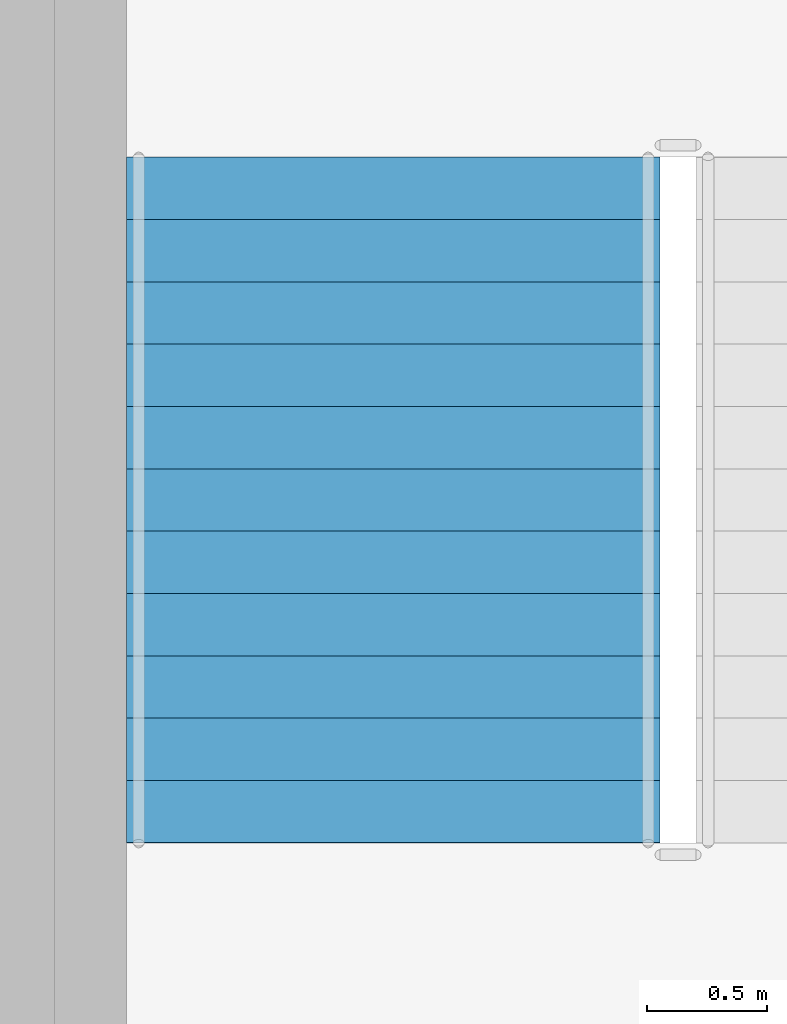
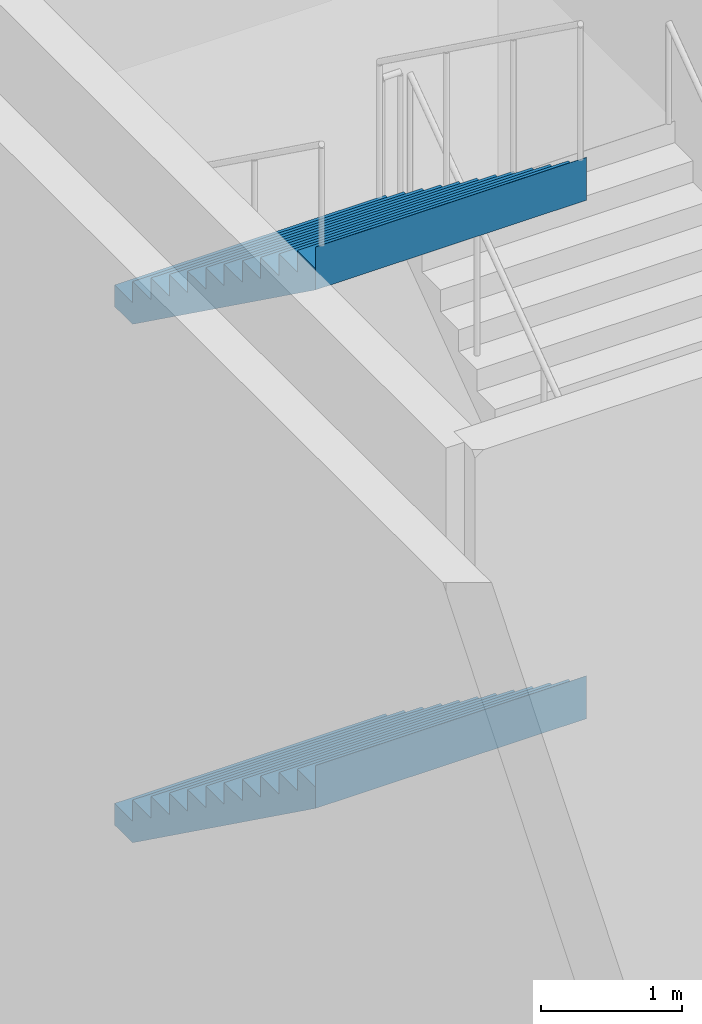
# One storey, part 23 of 35: 2 stair flights, 1 element without a shape of its own.
"""IFC4 building model written with IfcOpenShell, lengths in metres."""

from ifc_helpers import new_model, si_unit, direction, frame, origin, place, context, subcontext, project, spatial, triangles, material, type_object, element, aggregate, save


model = new_model("IFC4")

# Units and contexts
model_context = context("Model", 3, precision=1e-05, world=origin(), true_north=direction((0.0, 1.0)))
body_context = subcontext(model_context, "Body", "Model", "MODEL_VIEW")
ifc_project = project(units=[si_unit("LENGTHUNIT", "METRE"), si_unit("AREAUNIT", "SQUARE_METRE"), si_unit("VOLUMEUNIT", "CUBIC_METRE"), si_unit("PLANEANGLEUNIT", "RADIAN"), si_unit("MASSUNIT", "GRAM", prefix="KILO")], contexts=[model_context])

# Site, building, storey
site_placement = place(None, origin())
site = spatial("IfcSite", under=ifc_project, at=site_placement, CompositionType="ELEMENT")
building_placement = place(site_placement, origin())
building = spatial("IfcBuilding", under=site, at=building_placement, Name="Sahrelin Media Tower", CompositionType="ELEMENT")
storey_placement = place(building_placement, frame((0.0, 0.0, 8.0)))
storey = spatial("IfcBuildingStorey", under=building, at=storey_placement, Name="L01", CompositionType="ELEMENT", Elevation=8.0)

# Stair, stair flights
ifc_material = material(Name="Concrete C40/50", Category="concrete")
stair_type = type_object("IfcStairType", Name="Podium stair 2225", PredefinedType="HALF_TURN_STAIR", material=ifc_material)
stair_placement = place(storey_placement, origin())
stair = element("IfcStair", 1, at=stair_placement, inside=storey, type_object=stair_type, Name="L01 Podium stair PS2", PredefinedType="HALF_TURN_STAIR")
stair_flight_type = type_object("IfcStairFlightType", Name="Stair flight 2225", PredefinedType="STRAIGHT", material=ifc_material)
stair_flight_1_placement = place(storey_placement, frame((-11.83740234375, 33.485107421875, 2.25), z_axis=(0.0, 0.0, 1.0), x_axis=(0.0, -1.0, 0.0)))
stair_flight_1 = element("IfcStairFlight", 2, at=stair_flight_1_placement, type_object=stair_flight_type, Name="PS2 flight 2", NumberOfRisers=12, NumberOfTreads=11, PredefinedType="STRAIGHT", RiserHeight=0.1875, TreadLength=0.26, context=body_context, shape_type="Tessellation", body=[
    triangles([(0.25634765625, 1.112548828125, 0.0), (0.25634765625, 0.794677734375, 0.0), (0.25634765625, 0.476806640625, 0.0), (0.25634765625, 0.158935546875, 0.0), (0.25634765625, -0.158935546875, 0.0), (0.25634765625, -0.476806640625, 0.0), (0.25634765625, -0.794677734375, 0.0), (0.25634765625, -1.112548828125, 0.0), (2.860107421875, 1.112548828125, 1.877685546875), (2.860107421875, 0.794677734375, 1.877685546875), (2.860107421875, 0.476806640625, 1.877685546875), (2.860107421875, 0.158935546875, 1.877685546875), (2.860107421875, -0.158935546875, 1.877685546875), (2.860107421875, -0.476806640625, 1.877685546875), (2.860107421875, -0.794677734375, 1.877685546875), (2.860107421875, -1.112548828125, 1.877685546875), (2.860107421875, 1.112548828125, 2.25), (2.860107421875, 0.794677734375, 2.25), (2.860107421875, 0.476806640625, 2.25), (2.860107421875, 0.158935546875, 2.25), (2.860107421875, -0.158935546875, 2.25), (2.860107421875, -0.476806640625, 2.25), (2.860107421875, -0.794677734375, 2.25), (2.860107421875, -1.112548828125, 2.25), (2.85791015625, 1.112548828125, 2.25), (2.85791015625, 0.794677734375, 2.25), (2.85791015625, 0.476806640625, 2.25), (2.85791015625, 0.158935546875, 2.25), (2.85791015625, -0.158935546875, 2.25), (2.85791015625, -0.476806640625, 2.25), (2.85791015625, -0.794677734375, 2.25), (2.85791015625, -1.112548828125, 2.25), (2.85791015625, 1.112548828125, 2.0625), (2.85791015625, 0.794677734375, 2.0625), (2.85791015625, 0.476806640625, 2.0625), (2.85791015625, 0.158935546875, 2.0625), (2.85791015625, -0.158935546875, 2.0625), (2.85791015625, -0.476806640625, 2.0625), (2.85791015625, -0.794677734375, 2.0625), (2.85791015625, -1.112548828125, 2.0625), (2.60009765625, 1.112548828125, 2.0625), (2.60009765625, 0.794677734375, 2.0625), (2.60009765625, 0.476806640625, 2.0625), (2.60009765625, 0.158935546875, 2.0625), (2.60009765625, -0.158935546875, 2.0625), (2.60009765625, -0.476806640625, 2.0625), (2.60009765625, -0.794677734375, 2.0625), (2.60009765625, -1.112548828125, 2.0625), (2.60009765625, 1.112548828125, 1.875), (2.60009765625, 0.794677734375, 1.875), (2.60009765625, 0.476806640625, 1.875), (2.60009765625, 0.158935546875, 1.875), (2.60009765625, -0.158935546875, 1.875), (2.60009765625, -0.476806640625, 1.875), (2.60009765625, -0.794677734375, 1.875), (2.60009765625, -1.112548828125, 1.875), (2.340087890625, 1.112548828125, 1.875), (2.340087890625, 0.794677734375, 1.875), (2.340087890625, 0.476806640625, 1.875), (2.340087890625, 0.158935546875, 1.875), (2.340087890625, -0.158935546875, 1.875), (2.340087890625, -0.476806640625, 1.875), (2.340087890625, -0.794677734375, 1.875), (2.340087890625, -1.112548828125, 1.875), (2.340087890625, 1.112548828125, 1.6875), (2.340087890625, 0.794677734375, 1.6875), (2.340087890625, 0.476806640625, 1.6875), (2.340087890625, 0.158935546875, 1.6875), (2.340087890625, -0.158935546875, 1.6875), (2.340087890625, -0.476806640625, 1.6875), (2.340087890625, -0.794677734375, 1.6875), (2.340087890625, -1.112548828125, 1.6875), (2.080078125, 1.112548828125, 1.6875), (2.080078125, 0.794677734375, 1.6875), (2.080078125, 0.476806640625, 1.6875), (2.080078125, 0.158935546875, 1.6875), (2.080078125, -0.158935546875, 1.6875), (2.080078125, -0.476806640625, 1.6875), (2.080078125, -0.794677734375, 1.6875), (2.080078125, -1.112548828125, 1.6875), (2.080078125, 1.112548828125, 1.5), (2.080078125, 0.794677734375, 1.5), (2.080078125, 0.476806640625, 1.5), (2.080078125, 0.158935546875, 1.5), (2.080078125, -0.158935546875, 1.5), (2.080078125, -0.476806640625, 1.5), (2.080078125, -0.794677734375, 1.5), (2.080078125, -1.112548828125, 1.5), (1.820068359375, 1.112548828125, 1.5), (1.820068359375, 0.794677734375, 1.5), (1.820068359375, 0.476806640625, 1.5), (1.820068359375, 0.158935546875, 1.5), (1.820068359375, -0.158935546875, 1.5), (1.820068359375, -0.476806640625, 1.5), (1.820068359375, -0.794677734375, 1.5), (1.820068359375, -1.112548828125, 1.5), (1.820068359375, 1.112548828125, 1.3125), (1.820068359375, 0.794677734375, 1.3125), (1.820068359375, 0.476806640625, 1.3125), (1.820068359375, 0.158935546875, 1.3125), (1.820068359375, -0.158935546875, 1.3125), (1.820068359375, -0.476806640625, 1.3125), (1.820068359375, -0.794677734375, 1.3125), (1.820068359375, -1.112548828125, 1.3125), (1.56005859375, 1.112548828125, 1.3125), (1.56005859375, 0.794677734375, 1.3125), (1.56005859375, 0.476806640625, 1.3125), (1.56005859375, 0.158935546875, 1.3125), (1.56005859375, -0.158935546875, 1.3125), (1.56005859375, -0.476806640625, 1.3125), (1.56005859375, -0.794677734375, 1.3125), (1.56005859375, -1.112548828125, 1.3125), (1.56005859375, 1.112548828125, 1.125), (1.56005859375, 0.794677734375, 1.125), (1.56005859375, 0.476806640625, 1.125), (1.56005859375, 0.158935546875, 1.125), (1.56005859375, -0.158935546875, 1.125), (1.56005859375, -0.476806640625, 1.125), (1.56005859375, -0.794677734375, 1.125), (1.56005859375, -1.112548828125, 1.125), (1.300048828125, 1.112548828125, 1.125), (1.300048828125, 0.794677734375, 1.125), (1.300048828125, 0.476806640625, 1.125), (1.300048828125, 0.158935546875, 1.125), (1.300048828125, -0.158935546875, 1.125), (1.300048828125, -0.476806640625, 1.125), (1.300048828125, -0.794677734375, 1.125), (1.300048828125, -1.112548828125, 1.125), (1.300048828125, 1.112548828125, 0.9375), (1.300048828125, 0.794677734375, 0.9375), (1.300048828125, 0.476806640625, 0.9375), (1.300048828125, 0.158935546875, 0.9375), (1.300048828125, -0.158935546875, 0.9375), (1.300048828125, -0.476806640625, 0.9375), (1.300048828125, -0.794677734375, 0.9375), (1.300048828125, -1.112548828125, 0.9375), (1.0400390625, 1.112548828125, 0.9375), (1.0400390625, 0.794677734375, 0.9375), (1.0400390625, 0.476806640625, 0.9375), (1.0400390625, 0.158935546875, 0.9375), (1.0400390625, -0.158935546875, 0.9375), (1.0400390625, -0.476806640625, 0.9375), (1.0400390625, -0.794677734375, 0.9375), (1.0400390625, -1.112548828125, 0.9375), (1.0400390625, 1.112548828125, 0.75), (1.0400390625, 0.794677734375, 0.75), (1.0400390625, 0.476806640625, 0.75), (1.0400390625, 0.158935546875, 0.75), (1.0400390625, -0.158935546875, 0.75), (1.0400390625, -0.476806640625, 0.75), (1.0400390625, -0.794677734375, 0.75), (1.0400390625, -1.112548828125, 0.75), (0.780029296875, 1.112548828125, 0.75), (0.780029296875, 0.794677734375, 0.75), (0.780029296875, 0.476806640625, 0.75), (0.780029296875, 0.158935546875, 0.75), (0.780029296875, -0.158935546875, 0.75), (0.780029296875, -0.476806640625, 0.75), (0.780029296875, -0.794677734375, 0.75), (0.780029296875, -1.112548828125, 0.75), (0.780029296875, 1.112548828125, 0.5625), (0.780029296875, 0.794677734375, 0.5625), (0.780029296875, 0.476806640625, 0.5625), (0.780029296875, 0.158935546875, 0.5625), (0.780029296875, -0.158935546875, 0.5625), (0.780029296875, -0.476806640625, 0.5625), (0.780029296875, -0.794677734375, 0.5625), (0.780029296875, -1.112548828125, 0.5625), (0.52001953125, 1.112548828125, 0.5625), (0.52001953125, 0.794677734375, 0.5625), (0.52001953125, 0.476806640625, 0.5625), (0.52001953125, 0.158935546875, 0.5625), (0.52001953125, -0.158935546875, 0.5625), (0.52001953125, -0.476806640625, 0.5625), (0.52001953125, -0.794677734375, 0.5625), (0.52001953125, -1.112548828125, 0.5625), (0.52001953125, 1.112548828125, 0.375), (0.52001953125, 0.794677734375, 0.375), (0.52001953125, 0.476806640625, 0.375), (0.52001953125, 0.158935546875, 0.375), (0.52001953125, -0.158935546875, 0.375), (0.52001953125, -0.476806640625, 0.375), (0.52001953125, -0.794677734375, 0.375), (0.52001953125, -1.112548828125, 0.375), (0.260009765625, 1.112548828125, 0.375), (0.260009765625, 0.794677734375, 0.375), (0.260009765625, 0.476806640625, 0.375), (0.260009765625, 0.158935546875, 0.375), (0.260009765625, -0.158935546875, 0.375), (0.260009765625, -0.476806640625, 0.375), (0.260009765625, -0.794677734375, 0.375), (0.260009765625, -1.112548828125, 0.375), (0.260009765625, 1.112548828125, 0.1875), (0.260009765625, 0.794677734375, 0.1875), (0.260009765625, 0.476806640625, 0.1875), (0.260009765625, 0.158935546875, 0.1875), (0.260009765625, -0.158935546875, 0.1875), (0.260009765625, -0.476806640625, 0.1875), (0.260009765625, -0.794677734375, 0.1875), (0.260009765625, -1.112548828125, 0.1875), (0.0, 1.112548828125, 0.1875), (0.0, 0.794677734375, 0.1875), (0.0, 0.476806640625, 0.1875), (0.0, 0.158935546875, 0.1875), (0.0, -0.158935546875, 0.1875), (0.0, -0.476806640625, 0.1875), (0.0, -0.794677734375, 0.1875), (0.0, -1.112548828125, 0.1875), (0.0, 1.112548828125, 0.0), (0.0, 0.794677734375, 0.0), (0.0, 0.476806640625, 0.0), (0.0, 0.158935546875, 0.0), (0.0, -0.158935546875, 0.0), (0.0, -0.476806640625, 0.0), (0.0, -0.794677734375, 0.0), (0.0, -1.112548828125, 0.0)], [[1, 9, 10], [1, 10, 2], [2, 10, 11], [2, 11, 3], [3, 11, 12], [3, 12, 4], [4, 12, 13], [4, 13, 5], [5, 13, 14], [5, 14, 6], [6, 14, 15], [6, 15, 7], [7, 15, 16], [7, 16, 8], [9, 17, 18], [9, 18, 10], [10, 18, 19], [10, 19, 11], [11, 19, 20], [11, 20, 12], [12, 20, 21], [12, 21, 13], [13, 21, 22], [13, 22, 14], [14, 22, 23], [14, 23, 15], [15, 23, 24], [15, 24, 16], [17, 25, 26], [17, 26, 18], [18, 26, 27], [18, 27, 19], [19, 27, 28], [19, 28, 20], [20, 28, 29], [20, 29, 21], [21, 29, 30], [21, 30, 22], [22, 30, 31], [22, 31, 23], [23, 31, 32], [23, 32, 24], [25, 33, 34], [25, 34, 26], [26, 34, 35], [26, 35, 27], [27, 35, 36], [27, 36, 28], [28, 36, 37], [28, 37, 29], [29, 37, 38], [29, 38, 30], [30, 38, 39], [30, 39, 31], [31, 39, 40], [31, 40, 32], [33, 41, 42], [33, 42, 34], [34, 42, 43], [34, 43, 35], [35, 43, 44], [35, 44, 36], [36, 44, 45], [36, 45, 37], [37, 45, 46], [37, 46, 38], [38, 46, 47], [38, 47, 39], [39, 47, 48], [39, 48, 40], [41, 49, 50], [41, 50, 42], [42, 50, 51], [42, 51, 43], [43, 51, 52], [43, 52, 44], [44, 52, 53], [44, 53, 45], [45, 53, 54], [45, 54, 46], [46, 54, 55], [46, 55, 47], [47, 55, 56], [47, 56, 48], [49, 57, 58], [49, 58, 50], [50, 58, 59], [50, 59, 51], [51, 59, 60], [51, 60, 52], [52, 60, 61], [52, 61, 53], [53, 61, 62], [53, 62, 54], [54, 62, 63], [54, 63, 55], [55, 63, 64], [55, 64, 56], [57, 65, 66], [57, 66, 58], [58, 66, 67], [58, 67, 59], [59, 67, 68], [59, 68, 60], [60, 68, 69], [60, 69, 61], [61, 69, 70], [61, 70, 62], [62, 70, 71], [62, 71, 63], [63, 71, 72], [63, 72, 64], [65, 73, 74], [65, 74, 66], [66, 74, 75], [66, 75, 67], [67, 75, 76], [67, 76, 68], [68, 76, 77], [68, 77, 69], [69, 77, 78], [69, 78, 70], [70, 78, 79], [70, 79, 71], [71, 79, 80], [71, 80, 72], [73, 81, 82], [73, 82, 74], [74, 82, 83], [74, 83, 75], [75, 83, 84], [75, 84, 76], [76, 84, 85], [76, 85, 77], [77, 85, 86], [77, 86, 78], [78, 86, 87], [78, 87, 79], [79, 87, 88], [79, 88, 80], [81, 89, 90], [81, 90, 82], [82, 90, 91], [82, 91, 83], [83, 91, 92], [83, 92, 84], [84, 92, 93], [84, 93, 85], [85, 93, 94], [85, 94, 86], [86, 94, 95], [86, 95, 87], [87, 95, 96], [87, 96, 88], [89, 97, 98], [89, 98, 90], [90, 98, 99], [90, 99, 91], [91, 99, 100], [91, 100, 92], [92, 100, 101], [92, 101, 93], [93, 101, 102], [93, 102, 94], [94, 102, 103], [94, 103, 95], [95, 103, 104], [95, 104, 96], [97, 105, 106], [97, 106, 98], [98, 106, 107], [98, 107, 99], [99, 107, 108], [99, 108, 100], [100, 108, 109], [100, 109, 101], [101, 109, 110], [101, 110, 102], [102, 110, 111], [102, 111, 103], [103, 111, 112], [103, 112, 104], [105, 113, 114], [105, 114, 106], [106, 114, 115], [106, 115, 107], [107, 115, 116], [107, 116, 108], [108, 116, 117], [108, 117, 109], [109, 117, 118], [109, 118, 110], [110, 118, 119], [110, 119, 111], [111, 119, 120], [111, 120, 112], [113, 121, 122], [113, 122, 114], [114, 122, 123], [114, 123, 115], [115, 123, 124], [115, 124, 116], [116, 124, 125], [116, 125, 117], [117, 125, 126], [117, 126, 118], [118, 126, 127], [118, 127, 119], [119, 127, 128], [119, 128, 120], [121, 129, 130], [121, 130, 122], [122, 130, 131], [122, 131, 123], [123, 131, 132], [123, 132, 124], [124, 132, 133], [124, 133, 125], [125, 133, 134], [125, 134, 126], [126, 134, 135], [126, 135, 127], [127, 135, 136], [127, 136, 128], [129, 137, 138], [129, 138, 130], [130, 138, 139], [130, 139, 131], [131, 139, 140], [131, 140, 132], [132, 140, 141], [132, 141, 133], [133, 141, 142], [133, 142, 134], [134, 142, 143], [134, 143, 135], [135, 143, 144], [135, 144, 136], [137, 145, 146], [137, 146, 138], [138, 146, 147], [138, 147, 139], [139, 147, 148], [139, 148, 140], [140, 148, 149], [140, 149, 141], [141, 149, 150], [141, 150, 142], [142, 150, 151], [142, 151, 143], [143, 151, 152], [143, 152, 144], [145, 153, 154], [145, 154, 146], [146, 154, 155], [146, 155, 147], [147, 155, 156], [147, 156, 148], [148, 156, 157], [148, 157, 149], [149, 157, 158], [149, 158, 150], [150, 158, 159], [150, 159, 151], [151, 159, 160], [151, 160, 152], [153, 161, 162], [153, 162, 154], [154, 162, 163], [154, 163, 155], [155, 163, 164], [155, 164, 156], [156, 164, 165], [156, 165, 157], [157, 165, 166], [157, 166, 158], [158, 166, 167], [158, 167, 159], [159, 167, 168], [159, 168, 160], [161, 169, 170], [161, 170, 162], [162, 170, 171], [162, 171, 163], [163, 171, 172], [163, 172, 164], [164, 172, 173], [164, 173, 165], [165, 173, 174], [165, 174, 166], [166, 174, 175], [166, 175, 167], [167, 175, 176], [167, 176, 168], [169, 177, 178], [169, 178, 170], [170, 178, 179], [170, 179, 171], [171, 179, 180], [171, 180, 172], [172, 180, 181], [172, 181, 173], [173, 181, 182], [173, 182, 174], [174, 182, 183], [174, 183, 175], [175, 183, 184], [175, 184, 176], [177, 185, 186], [177, 186, 178], [178, 186, 187], [178, 187, 179], [179, 187, 188], [179, 188, 180], [180, 188, 189], [180, 189, 181], [181, 189, 190], [181, 190, 182], [182, 190, 191], [182, 191, 183], [183, 191, 192], [183, 192, 184], [185, 193, 194], [185, 194, 186], [186, 194, 195], [186, 195, 187], [187, 195, 196], [187, 196, 188], [188, 196, 197], [188, 197, 189], [189, 197, 198], [189, 198, 190], [190, 198, 199], [190, 199, 191], [191, 199, 200], [191, 200, 192], [193, 201, 202], [193, 202, 194], [194, 202, 203], [194, 203, 195], [195, 203, 204], [195, 204, 196], [196, 204, 205], [196, 205, 197], [197, 205, 206], [197, 206, 198], [198, 206, 207], [198, 207, 199], [199, 207, 208], [199, 208, 200], [201, 209, 210], [201, 210, 202], [202, 210, 211], [202, 211, 203], [203, 211, 212], [203, 212, 204], [204, 212, 213], [204, 213, 205], [205, 213, 214], [205, 214, 206], [206, 214, 215], [206, 215, 207], [207, 215, 216], [207, 216, 208], [209, 1, 2], [209, 2, 210], [210, 2, 3], [210, 3, 211], [211, 3, 4], [211, 4, 212], [212, 4, 5], [212, 5, 213], [213, 5, 6], [213, 6, 214], [214, 6, 7], [214, 7, 215], [215, 7, 8], [215, 8, 216], [8, 208, 216], [1, 209, 201], [200, 184, 192], [193, 185, 177], [184, 168, 176], [177, 169, 161], [168, 152, 160], [161, 153, 145], [152, 136, 144], [145, 137, 129], [136, 120, 128], [129, 121, 113], [120, 104, 112], [113, 105, 97], [104, 88, 96], [97, 89, 81], [88, 72, 80], [81, 73, 65], [72, 56, 64], [65, 57, 49], [56, 40, 48], [49, 41, 33], [40, 24, 32], [33, 25, 17], [8, 200, 208], [1, 201, 193], [16, 56, 72], [9, 65, 49], [40, 16, 24], [33, 17, 9], [184, 200, 8], [177, 1, 193], [56, 16, 40], [49, 33, 9], [168, 184, 8], [161, 1, 177], [72, 88, 16], [65, 9, 81], [152, 168, 8], [145, 1, 161], [104, 16, 88], [97, 81, 9], [136, 152, 8], [129, 1, 145], [120, 16, 104], [113, 97, 9], [120, 136, 8], [113, 1, 129], [8, 16, 120], [1, 113, 9]], closed=True),
])
stair_flight_2_placement = place(storey_placement, frame((-11.83740234375, 33.485107421875, 6.75), z_axis=(0.0, 0.0, 1.0), x_axis=(0.0, -1.0, 0.0)))
stair_flight_2 = element("IfcStairFlight", 3, at=stair_flight_2_placement, type_object=stair_flight_type, Name="PS2 flight 4", NumberOfRisers=12, NumberOfTreads=11, PredefinedType="STRAIGHT", RiserHeight=0.1875, TreadLength=0.26, context=body_context, shape_type="Tessellation", body=[
    triangles([(0.25634765625, 1.112548828125, 0.0), (0.25634765625, 0.794677734375, 0.0), (0.25634765625, 0.476806640625, 0.0), (0.25634765625, 0.158935546875, 0.0), (0.25634765625, -0.158935546875, 0.0), (0.25634765625, -0.476806640625, 0.0), (0.25634765625, -0.794677734375, 0.0), (0.25634765625, -1.112548828125, 0.0), (2.860107421875, 1.112548828125, 1.877685546875), (2.860107421875, 0.794677734375, 1.877685546875), (2.860107421875, 0.476806640625, 1.877685546875), (2.860107421875, 0.158935546875, 1.877685546875), (2.860107421875, -0.158935546875, 1.877685546875), (2.860107421875, -0.476806640625, 1.877685546875), (2.860107421875, -0.794677734375, 1.877685546875), (2.860107421875, -1.112548828125, 1.877685546875), (2.860107421875, 1.112548828125, 2.25), (2.860107421875, 0.794677734375, 2.25), (2.860107421875, 0.476806640625, 2.25), (2.860107421875, 0.158935546875, 2.25), (2.860107421875, -0.158935546875, 2.25), (2.860107421875, -0.476806640625, 2.25), (2.860107421875, -0.794677734375, 2.25), (2.860107421875, -1.112548828125, 2.25), (2.85791015625, 1.112548828125, 2.25), (2.85791015625, 0.794677734375, 2.25), (2.85791015625, 0.476806640625, 2.25), (2.85791015625, 0.158935546875, 2.25), (2.85791015625, -0.158935546875, 2.25), (2.85791015625, -0.476806640625, 2.25), (2.85791015625, -0.794677734375, 2.25), (2.85791015625, -1.112548828125, 2.25), (2.85791015625, 1.112548828125, 2.0625), (2.85791015625, 0.794677734375, 2.0625), (2.85791015625, 0.476806640625, 2.0625), (2.85791015625, 0.158935546875, 2.0625), (2.85791015625, -0.158935546875, 2.0625), (2.85791015625, -0.476806640625, 2.0625), (2.85791015625, -0.794677734375, 2.0625), (2.85791015625, -1.112548828125, 2.0625), (2.60009765625, 1.112548828125, 2.0625), (2.60009765625, 0.794677734375, 2.0625), (2.60009765625, 0.476806640625, 2.0625), (2.60009765625, 0.158935546875, 2.0625), (2.60009765625, -0.158935546875, 2.0625), (2.60009765625, -0.476806640625, 2.0625), (2.60009765625, -0.794677734375, 2.0625), (2.60009765625, -1.112548828125, 2.0625), (2.60009765625, 1.112548828125, 1.875), (2.60009765625, 0.794677734375, 1.875), (2.60009765625, 0.476806640625, 1.875), (2.60009765625, 0.158935546875, 1.875), (2.60009765625, -0.158935546875, 1.875), (2.60009765625, -0.476806640625, 1.875), (2.60009765625, -0.794677734375, 1.875), (2.60009765625, -1.112548828125, 1.875), (2.340087890625, 1.112548828125, 1.875), (2.340087890625, 0.794677734375, 1.875), (2.340087890625, 0.476806640625, 1.875), (2.340087890625, 0.158935546875, 1.875), (2.340087890625, -0.158935546875, 1.875), (2.340087890625, -0.476806640625, 1.875), (2.340087890625, -0.794677734375, 1.875), (2.340087890625, -1.112548828125, 1.875), (2.340087890625, 1.112548828125, 1.6875), (2.340087890625, 0.794677734375, 1.6875), (2.340087890625, 0.476806640625, 1.6875), (2.340087890625, 0.158935546875, 1.6875), (2.340087890625, -0.158935546875, 1.6875), (2.340087890625, -0.476806640625, 1.6875), (2.340087890625, -0.794677734375, 1.6875), (2.340087890625, -1.112548828125, 1.6875), (2.080078125, 1.112548828125, 1.6875), (2.080078125, 0.794677734375, 1.6875), (2.080078125, 0.476806640625, 1.6875), (2.080078125, 0.158935546875, 1.6875), (2.080078125, -0.158935546875, 1.6875), (2.080078125, -0.476806640625, 1.6875), (2.080078125, -0.794677734375, 1.6875), (2.080078125, -1.112548828125, 1.6875), (2.080078125, 1.112548828125, 1.5), (2.080078125, 0.794677734375, 1.5), (2.080078125, 0.476806640625, 1.5), (2.080078125, 0.158935546875, 1.5), (2.080078125, -0.158935546875, 1.5), (2.080078125, -0.476806640625, 1.5), (2.080078125, -0.794677734375, 1.5), (2.080078125, -1.112548828125, 1.5), (1.820068359375, 1.112548828125, 1.5), (1.820068359375, 0.794677734375, 1.5), (1.820068359375, 0.476806640625, 1.5), (1.820068359375, 0.158935546875, 1.5), (1.820068359375, -0.158935546875, 1.5), (1.820068359375, -0.476806640625, 1.5), (1.820068359375, -0.794677734375, 1.5), (1.820068359375, -1.112548828125, 1.5), (1.820068359375, 1.112548828125, 1.3125), (1.820068359375, 0.794677734375, 1.3125), (1.820068359375, 0.476806640625, 1.3125), (1.820068359375, 0.158935546875, 1.3125), (1.820068359375, -0.158935546875, 1.3125), (1.820068359375, -0.476806640625, 1.3125), (1.820068359375, -0.794677734375, 1.3125), (1.820068359375, -1.112548828125, 1.3125), (1.56005859375, 1.112548828125, 1.3125), (1.56005859375, 0.794677734375, 1.3125), (1.56005859375, 0.476806640625, 1.3125), (1.56005859375, 0.158935546875, 1.3125), (1.56005859375, -0.158935546875, 1.3125), (1.56005859375, -0.476806640625, 1.3125), (1.56005859375, -0.794677734375, 1.3125), (1.56005859375, -1.112548828125, 1.3125), (1.56005859375, 1.112548828125, 1.125), (1.56005859375, 0.794677734375, 1.125), (1.56005859375, 0.476806640625, 1.125), (1.56005859375, 0.158935546875, 1.125), (1.56005859375, -0.158935546875, 1.125), (1.56005859375, -0.476806640625, 1.125), (1.56005859375, -0.794677734375, 1.125), (1.56005859375, -1.112548828125, 1.125), (1.300048828125, 1.112548828125, 1.125), (1.300048828125, 0.794677734375, 1.125), (1.300048828125, 0.476806640625, 1.125), (1.300048828125, 0.158935546875, 1.125), (1.300048828125, -0.158935546875, 1.125), (1.300048828125, -0.476806640625, 1.125), (1.300048828125, -0.794677734375, 1.125), (1.300048828125, -1.112548828125, 1.125), (1.300048828125, 1.112548828125, 0.9375), (1.300048828125, 0.794677734375, 0.9375), (1.300048828125, 0.476806640625, 0.9375), (1.300048828125, 0.158935546875, 0.9375), (1.300048828125, -0.158935546875, 0.9375), (1.300048828125, -0.476806640625, 0.9375), (1.300048828125, -0.794677734375, 0.9375), (1.300048828125, -1.112548828125, 0.9375), (1.0400390625, 1.112548828125, 0.9375), (1.0400390625, 0.794677734375, 0.9375), (1.0400390625, 0.476806640625, 0.9375), (1.0400390625, 0.158935546875, 0.9375), (1.0400390625, -0.158935546875, 0.9375), (1.0400390625, -0.476806640625, 0.9375), (1.0400390625, -0.794677734375, 0.9375), (1.0400390625, -1.112548828125, 0.9375), (1.0400390625, 1.112548828125, 0.75), (1.0400390625, 0.794677734375, 0.75), (1.0400390625, 0.476806640625, 0.75), (1.0400390625, 0.158935546875, 0.75), (1.0400390625, -0.158935546875, 0.75), (1.0400390625, -0.476806640625, 0.75), (1.0400390625, -0.794677734375, 0.75), (1.0400390625, -1.112548828125, 0.75), (0.780029296875, 1.112548828125, 0.75), (0.780029296875, 0.794677734375, 0.75), (0.780029296875, 0.476806640625, 0.75), (0.780029296875, 0.158935546875, 0.75), (0.780029296875, -0.158935546875, 0.75), (0.780029296875, -0.476806640625, 0.75), (0.780029296875, -0.794677734375, 0.75), (0.780029296875, -1.112548828125, 0.75), (0.780029296875, 1.112548828125, 0.5625), (0.780029296875, 0.794677734375, 0.5625), (0.780029296875, 0.476806640625, 0.5625), (0.780029296875, 0.158935546875, 0.5625), (0.780029296875, -0.158935546875, 0.5625), (0.780029296875, -0.476806640625, 0.5625), (0.780029296875, -0.794677734375, 0.5625), (0.780029296875, -1.112548828125, 0.5625), (0.52001953125, 1.112548828125, 0.5625), (0.52001953125, 0.794677734375, 0.5625), (0.52001953125, 0.476806640625, 0.5625), (0.52001953125, 0.158935546875, 0.5625), (0.52001953125, -0.158935546875, 0.5625), (0.52001953125, -0.476806640625, 0.5625), (0.52001953125, -0.794677734375, 0.5625), (0.52001953125, -1.112548828125, 0.5625), (0.52001953125, 1.112548828125, 0.375), (0.52001953125, 0.794677734375, 0.375), (0.52001953125, 0.476806640625, 0.375), (0.52001953125, 0.158935546875, 0.375), (0.52001953125, -0.158935546875, 0.375), (0.52001953125, -0.476806640625, 0.375), (0.52001953125, -0.794677734375, 0.375), (0.52001953125, -1.112548828125, 0.375), (0.260009765625, 1.112548828125, 0.375), (0.260009765625, 0.794677734375, 0.375), (0.260009765625, 0.476806640625, 0.375), (0.260009765625, 0.158935546875, 0.375), (0.260009765625, -0.158935546875, 0.375), (0.260009765625, -0.476806640625, 0.375), (0.260009765625, -0.794677734375, 0.375), (0.260009765625, -1.112548828125, 0.375), (0.260009765625, 1.112548828125, 0.1875), (0.260009765625, 0.794677734375, 0.1875), (0.260009765625, 0.476806640625, 0.1875), (0.260009765625, 0.158935546875, 0.1875), (0.260009765625, -0.158935546875, 0.1875), (0.260009765625, -0.476806640625, 0.1875), (0.260009765625, -0.794677734375, 0.1875), (0.260009765625, -1.112548828125, 0.1875), (0.0, 1.112548828125, 0.1875), (0.0, 0.794677734375, 0.1875), (0.0, 0.476806640625, 0.1875), (0.0, 0.158935546875, 0.1875), (0.0, -0.158935546875, 0.1875), (0.0, -0.476806640625, 0.1875), (0.0, -0.794677734375, 0.1875), (0.0, -1.112548828125, 0.1875), (0.0, 1.112548828125, 0.0), (0.0, 0.794677734375, 0.0), (0.0, 0.476806640625, 0.0), (0.0, 0.158935546875, 0.0), (0.0, -0.158935546875, 0.0), (0.0, -0.476806640625, 0.0), (0.0, -0.794677734375, 0.0), (0.0, -1.112548828125, 0.0)], [[1, 9, 10], [1, 10, 2], [2, 10, 11], [2, 11, 3], [3, 11, 12], [3, 12, 4], [4, 12, 13], [4, 13, 5], [5, 13, 14], [5, 14, 6], [6, 14, 15], [6, 15, 7], [7, 15, 16], [7, 16, 8], [9, 17, 18], [9, 18, 10], [10, 18, 19], [10, 19, 11], [11, 19, 20], [11, 20, 12], [12, 20, 21], [12, 21, 13], [13, 21, 22], [13, 22, 14], [14, 22, 23], [14, 23, 15], [15, 23, 24], [15, 24, 16], [17, 25, 26], [17, 26, 18], [18, 26, 27], [18, 27, 19], [19, 27, 28], [19, 28, 20], [20, 28, 29], [20, 29, 21], [21, 29, 30], [21, 30, 22], [22, 30, 31], [22, 31, 23], [23, 31, 32], [23, 32, 24], [25, 33, 34], [25, 34, 26], [26, 34, 35], [26, 35, 27], [27, 35, 36], [27, 36, 28], [28, 36, 37], [28, 37, 29], [29, 37, 38], [29, 38, 30], [30, 38, 39], [30, 39, 31], [31, 39, 40], [31, 40, 32], [33, 41, 42], [33, 42, 34], [34, 42, 43], [34, 43, 35], [35, 43, 44], [35, 44, 36], [36, 44, 45], [36, 45, 37], [37, 45, 46], [37, 46, 38], [38, 46, 47], [38, 47, 39], [39, 47, 48], [39, 48, 40], [41, 49, 50], [41, 50, 42], [42, 50, 51], [42, 51, 43], [43, 51, 52], [43, 52, 44], [44, 52, 53], [44, 53, 45], [45, 53, 54], [45, 54, 46], [46, 54, 55], [46, 55, 47], [47, 55, 56], [47, 56, 48], [49, 57, 58], [49, 58, 50], [50, 58, 59], [50, 59, 51], [51, 59, 60], [51, 60, 52], [52, 60, 61], [52, 61, 53], [53, 61, 62], [53, 62, 54], [54, 62, 63], [54, 63, 55], [55, 63, 64], [55, 64, 56], [57, 65, 66], [57, 66, 58], [58, 66, 67], [58, 67, 59], [59, 67, 68], [59, 68, 60], [60, 68, 69], [60, 69, 61], [61, 69, 70], [61, 70, 62], [62, 70, 71], [62, 71, 63], [63, 71, 72], [63, 72, 64], [65, 73, 74], [65, 74, 66], [66, 74, 75], [66, 75, 67], [67, 75, 76], [67, 76, 68], [68, 76, 77], [68, 77, 69], [69, 77, 78], [69, 78, 70], [70, 78, 79], [70, 79, 71], [71, 79, 80], [71, 80, 72], [73, 81, 82], [73, 82, 74], [74, 82, 83], [74, 83, 75], [75, 83, 84], [75, 84, 76], [76, 84, 85], [76, 85, 77], [77, 85, 86], [77, 86, 78], [78, 86, 87], [78, 87, 79], [79, 87, 88], [79, 88, 80], [81, 89, 90], [81, 90, 82], [82, 90, 91], [82, 91, 83], [83, 91, 92], [83, 92, 84], [84, 92, 93], [84, 93, 85], [85, 93, 94], [85, 94, 86], [86, 94, 95], [86, 95, 87], [87, 95, 96], [87, 96, 88], [89, 97, 98], [89, 98, 90], [90, 98, 99], [90, 99, 91], [91, 99, 100], [91, 100, 92], [92, 100, 101], [92, 101, 93], [93, 101, 102], [93, 102, 94], [94, 102, 103], [94, 103, 95], [95, 103, 104], [95, 104, 96], [97, 105, 106], [97, 106, 98], [98, 106, 107], [98, 107, 99], [99, 107, 108], [99, 108, 100], [100, 108, 109], [100, 109, 101], [101, 109, 110], [101, 110, 102], [102, 110, 111], [102, 111, 103], [103, 111, 112], [103, 112, 104], [105, 113, 114], [105, 114, 106], [106, 114, 115], [106, 115, 107], [107, 115, 116], [107, 116, 108], [108, 116, 117], [108, 117, 109], [109, 117, 118], [109, 118, 110], [110, 118, 119], [110, 119, 111], [111, 119, 120], [111, 120, 112], [113, 121, 122], [113, 122, 114], [114, 122, 123], [114, 123, 115], [115, 123, 124], [115, 124, 116], [116, 124, 125], [116, 125, 117], [117, 125, 126], [117, 126, 118], [118, 126, 127], [118, 127, 119], [119, 127, 128], [119, 128, 120], [121, 129, 130], [121, 130, 122], [122, 130, 131], [122, 131, 123], [123, 131, 132], [123, 132, 124], [124, 132, 133], [124, 133, 125], [125, 133, 134], [125, 134, 126], [126, 134, 135], [126, 135, 127], [127, 135, 136], [127, 136, 128], [129, 137, 138], [129, 138, 130], [130, 138, 139], [130, 139, 131], [131, 139, 140], [131, 140, 132], [132, 140, 141], [132, 141, 133], [133, 141, 142], [133, 142, 134], [134, 142, 143], [134, 143, 135], [135, 143, 144], [135, 144, 136], [137, 145, 146], [137, 146, 138], [138, 146, 147], [138, 147, 139], [139, 147, 148], [139, 148, 140], [140, 148, 149], [140, 149, 141], [141, 149, 150], [141, 150, 142], [142, 150, 151], [142, 151, 143], [143, 151, 152], [143, 152, 144], [145, 153, 154], [145, 154, 146], [146, 154, 155], [146, 155, 147], [147, 155, 156], [147, 156, 148], [148, 156, 157], [148, 157, 149], [149, 157, 158], [149, 158, 150], [150, 158, 159], [150, 159, 151], [151, 159, 160], [151, 160, 152], [153, 161, 162], [153, 162, 154], [154, 162, 163], [154, 163, 155], [155, 163, 164], [155, 164, 156], [156, 164, 165], [156, 165, 157], [157, 165, 166], [157, 166, 158], [158, 166, 167], [158, 167, 159], [159, 167, 168], [159, 168, 160], [161, 169, 170], [161, 170, 162], [162, 170, 171], [162, 171, 163], [163, 171, 172], [163, 172, 164], [164, 172, 173], [164, 173, 165], [165, 173, 174], [165, 174, 166], [166, 174, 175], [166, 175, 167], [167, 175, 176], [167, 176, 168], [169, 177, 178], [169, 178, 170], [170, 178, 179], [170, 179, 171], [171, 179, 180], [171, 180, 172], [172, 180, 181], [172, 181, 173], [173, 181, 182], [173, 182, 174], [174, 182, 183], [174, 183, 175], [175, 183, 184], [175, 184, 176], [177, 185, 186], [177, 186, 178], [178, 186, 187], [178, 187, 179], [179, 187, 188], [179, 188, 180], [180, 188, 189], [180, 189, 181], [181, 189, 190], [181, 190, 182], [182, 190, 191], [182, 191, 183], [183, 191, 192], [183, 192, 184], [185, 193, 194], [185, 194, 186], [186, 194, 195], [186, 195, 187], [187, 195, 196], [187, 196, 188], [188, 196, 197], [188, 197, 189], [189, 197, 198], [189, 198, 190], [190, 198, 199], [190, 199, 191], [191, 199, 200], [191, 200, 192], [193, 201, 202], [193, 202, 194], [194, 202, 203], [194, 203, 195], [195, 203, 204], [195, 204, 196], [196, 204, 205], [196, 205, 197], [197, 205, 206], [197, 206, 198], [198, 206, 207], [198, 207, 199], [199, 207, 208], [199, 208, 200], [201, 209, 210], [201, 210, 202], [202, 210, 211], [202, 211, 203], [203, 211, 212], [203, 212, 204], [204, 212, 213], [204, 213, 205], [205, 213, 214], [205, 214, 206], [206, 214, 215], [206, 215, 207], [207, 215, 216], [207, 216, 208], [209, 1, 2], [209, 2, 210], [210, 2, 3], [210, 3, 211], [211, 3, 4], [211, 4, 212], [212, 4, 5], [212, 5, 213], [213, 5, 6], [213, 6, 214], [214, 6, 7], [214, 7, 215], [215, 7, 8], [215, 8, 216], [8, 208, 216], [1, 209, 201], [200, 184, 192], [193, 185, 177], [184, 168, 176], [177, 169, 161], [168, 152, 160], [161, 153, 145], [152, 136, 144], [145, 137, 129], [136, 120, 128], [129, 121, 113], [120, 104, 112], [113, 105, 97], [104, 88, 96], [97, 89, 81], [88, 72, 80], [81, 73, 65], [72, 56, 64], [65, 57, 49], [56, 40, 48], [49, 41, 33], [40, 24, 32], [33, 25, 17], [8, 200, 208], [1, 201, 193], [16, 56, 72], [9, 65, 49], [40, 16, 24], [33, 17, 9], [184, 200, 8], [177, 1, 193], [56, 16, 40], [49, 33, 9], [168, 184, 8], [161, 1, 177], [72, 88, 16], [65, 9, 81], [152, 168, 8], [145, 1, 161], [104, 16, 88], [97, 81, 9], [136, 152, 8], [129, 1, 145], [120, 16, 104], [113, 97, 9], [120, 136, 8], [113, 1, 129], [8, 16, 120], [1, 113, 9]], closed=True),
])
aggregate(stair, [stair_flight_1, stair_flight_2])

save(model, "model.ifc")
